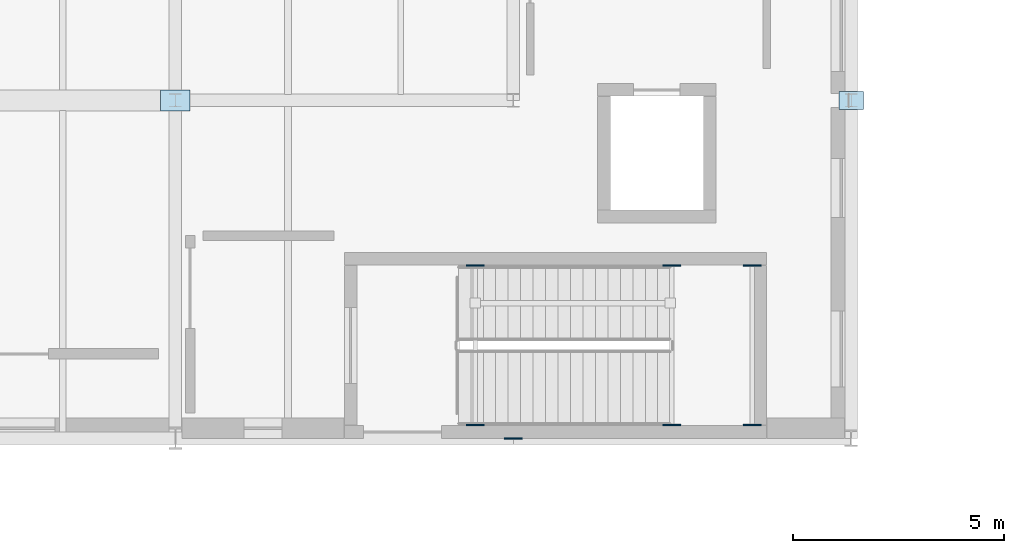
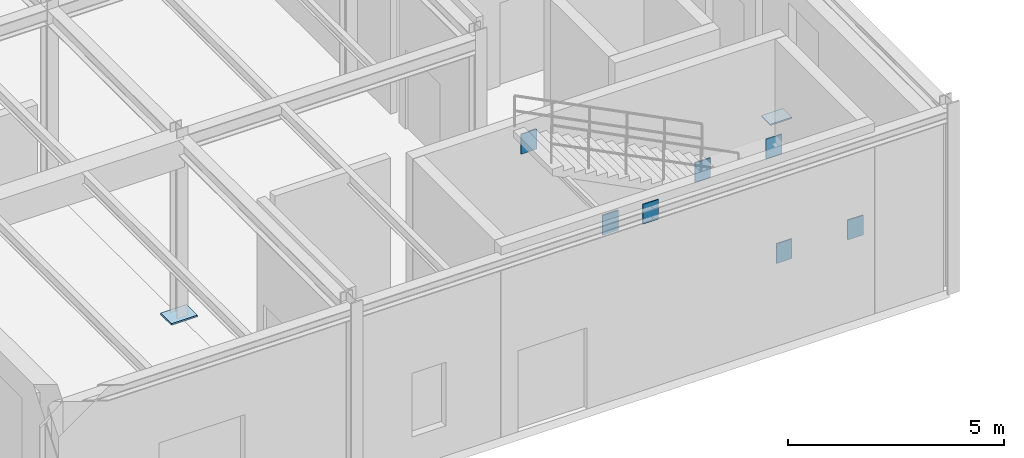
# One storey, part 64 of 129: 9 plates.
"""IFC4 building model written with IfcOpenShell, lengths in metres."""

import ifcopenshell
import ifcopenshell.guid

model = None  # the IFC model being written
_history = None  # IfcOwnerHistory: only IFC2X3 demands one
_inside = {}  # id of a spatial element -> (the spatial element, [elements in it])
_under = {}  # id of a project, library or spatial element -> (it, [spatial elements below it])
_declared = {}  # id of a project -> (the project, [libraries it declares])
_typed = {}  # id of a type object -> (the type object, [elements of that type])
_made_of = {}  # id of a material, layer set ... -> (it, [elements and type objects made of it])


def new_model(schema):
    """Start an empty IFC model of exactly this schema.

    Asked for "IFC4X3", IfcOpenShell would pick the latest addendum, in which some entities
    have other attributes; the version numbers below select the first issue.
    IFC2X3 requires an IfcOwnerHistory on every rooted entity: one is made here for all.
    """
    global model, _history
    if schema == "IFC4X3":
        model = ifcopenshell.file(schema_version=(4, 3, 0, 0))
    else:
        model = ifcopenshell.file(schema=schema)
    _inside.clear()
    _under.clear()
    _declared.clear()
    _typed.clear()
    _made_of.clear()
    _history = None
    if model.schema == "IFC2X3":
        org = make("IfcOrganization", Name="unknown")
        user = make(
            "IfcPersonAndOrganization",
            ThePerson=make("IfcPerson", FamilyName="unknown"),
            TheOrganization=org,
        )
        app = make(
            "IfcApplication",
            ApplicationDeveloper=org,
            Version="unknown",
            ApplicationFullName="unknown",
            ApplicationIdentifier="unknown",
        )
        _history = make(
            "IfcOwnerHistory",
            OwningUser=user,
            OwningApplication=app,
            ChangeAction="ADDED",
            CreationDate=0,
        )
    return model


def make(cls, **values):
    """One entity of the class cls with the attributes given. An attribute that is None is left unset."""
    return model.create_entity(
        cls, **{name: value for name, value in values.items() if value is not None}
    )


def rooted(cls, **values):
    """An entity with a GlobalId (a new one), such as an element, a storey or a relation."""
    return make(cls, GlobalId=ifcopenshell.guid.new(), OwnerHistory=_history, **values)


def si_unit(unit_type, name, prefix=None):
    """IfcSIUnit, for example si_unit("LENGTHUNIT", "METRE", prefix="MILLI")."""
    return make("IfcSIUnit", UnitType=unit_type, Prefix=prefix, Name=name)


def assignment(units):
    """IfcUnitAssignment: the units of a project."""
    return None if units is None else make("IfcUnitAssignment", Units=units)


def point(xyz):
    """IfcCartesianPoint."""
    return None if xyz is None else make("IfcCartesianPoint", Coordinates=xyz)


def direction(xyz):
    """IfcDirection."""
    return None if xyz is None else make("IfcDirection", DirectionRatios=xyz)


def frame(location, z_axis=None, x_axis=None):
    """IfcAxis2Placement3D, a coordinate frame: its origin and axes. An axis left out is left unset."""
    return make(
        "IfcAxis2Placement3D",
        Location=point(location),
        Axis=direction(z_axis),
        RefDirection=direction(x_axis),
    )


def frame_2d(location, x_axis=None):
    """IfcAxis2Placement2D, a coordinate frame in the plane: its origin and x axis."""
    return make(
        "IfcAxis2Placement2D", Location=point(location), RefDirection=direction(x_axis)
    )


def origin():
    """The frame at (0, 0, 0) with its axes left unset."""
    return frame((0.0, 0.0, 0.0))


def origin_2d():
    """The frame at (0, 0) in the plane with its x axis left unset."""
    return frame_2d((0.0, 0.0))


def place(relative_to, where):
    """IfcLocalPlacement: puts the frame where relative to a parent placement (None: the world)."""
    return make(
        "IfcLocalPlacement", PlacementRelTo=relative_to, RelativePlacement=where
    )


def context(
    kind, dimensions, precision=None, world=None, true_north=None, identifier=None
):
    """IfcGeometricRepresentationContext, for example the 3D "Model" context."""
    return make(
        "IfcGeometricRepresentationContext",
        ContextIdentifier=identifier,
        ContextType=kind,
        CoordinateSpaceDimension=dimensions,
        Precision=precision,
        WorldCoordinateSystem=world,
        TrueNorth=true_north,
    )


def subcontext(parent, identifier, kind, view, scale=None):
    """IfcGeometricRepresentationSubContext, for example "Body" below "Model"."""
    return make(
        "IfcGeometricRepresentationSubContext",
        ContextIdentifier=identifier,
        ContextType=kind,
        ParentContext=parent,
        TargetScale=scale,
        TargetView=view,
    )


def project(units=None, contexts=None):
    """IfcProject with its units and contexts."""
    return rooted(
        "IfcProject",
        Name="project",
        RepresentationContexts=contexts,
        UnitsInContext=assignment(units),
    )


def spatial(cls, under=None, at=None, **own):
    """A site, building, storey or space (cls), placed at a placement, below another one or the project."""
    s = rooted(cls, ObjectPlacement=at, **own)
    if under is not None:
        _under.setdefault(under.id(), (under, []))[1].append(s)
    return s


def profile(cls, at=None, kind="AREA", **sizes):
    """A parametric profile (cls). Its sizes go by their IFC names, for example OverallWidth=200.0."""
    return make(cls, ProfileType=kind, Position=at, **sizes)


def rectangle(**sizes):
    """IfcRectangleProfileDef."""
    return profile("IfcRectangleProfileDef", **sizes)


def extrude(swept, where, along, depth):
    """IfcExtrudedAreaSolid: the profile swept, set in the frame where, extruded along a direction by depth."""
    return make(
        "IfcExtrudedAreaSolid",
        SweptArea=swept,
        Position=where,
        ExtrudedDirection=direction(along),
        Depth=depth,
    )


def shape(context_of_items, identifier, shape_type, items):
    """IfcShapeRepresentation: the items that make up one representation, for example the "Body"."""
    return make(
        "IfcShapeRepresentation",
        ContextOfItems=context_of_items,
        RepresentationIdentifier=identifier,
        RepresentationType=shape_type,
        Items=items,
    )


def material(Name=None, Category=None):
    """IfcMaterial."""
    return make("IfcMaterial", Name=Name, Category=Category)


def layer(
    of_material, thickness, ventilated=None, Name=None, Category=None, Priority=None
):
    """IfcMaterialLayer: one layer of a wall or slab, of a material (None: an air gap)."""
    return make(
        "IfcMaterialLayer",
        Material=of_material,
        LayerThickness=thickness,
        IsVentilated=ventilated,
        Name=Name,
        Category=Category,
        Priority=Priority,
    )


def layer_set(layers, Name=None):
    """IfcMaterialLayerSet."""
    return make("IfcMaterialLayerSet", MaterialLayers=layers, LayerSetName=Name)


def made_of(thing, what):
    """Note that an element or type object is made of a material, layer set ...; save() writes the relation."""
    if what is not None:
        _made_of.setdefault(what.id(), (what, []))[1].append(thing)
    return thing


def type_object(cls, material=None, **own):
    """A type object (cls), such as IfcWallType, which elements share."""
    return made_of(rooted(cls, **own), material)


def element(
    cls,
    number,
    at=None,
    inside=None,
    cuts=None,
    type_object=None,
    material=None,
    context=None,
    identifier="Body",
    shape_type=None,
    held_by="IfcProductDefinitionShape",
    body=None,
    shapes=None,
    **own,
):
    """One element of the class cls, such as IfcWall. Its Tag is "e" and its number.

    at: its placement. inside: the storey or other place that contains it. cuts: it is an
    opening in that element (IfcRelVoidsElement). A single representation is given by context,
    identifier, shape_type and body (its items); several are given by shapes. held_by: the class
    of the entity that holds the representations. save() writes the other relations.
    """
    e = rooted(cls, Tag="e%d" % number, ObjectPlacement=at, **own)
    if body is not None:
        shapes = [shape(context, identifier, shape_type, body)]
    if shapes is not None:
        e.Representation = make(held_by, Representations=shapes)
    if inside is not None:
        _inside.setdefault(inside.id(), (inside, []))[1].append(e)
    if cuts is not None:
        rooted(
            "IfcRelVoidsElement", RelatingBuildingElement=cuts, RelatedOpeningElement=e
        )
    if type_object is not None:
        _typed.setdefault(type_object.id(), (type_object, []))[1].append(e)
    return made_of(e, material)


def aggregate(whole, parts):
    """IfcRelAggregates: a whole, such as a stair, and the parts it consists of."""
    return rooted("IfcRelAggregates", RelatingObject=whole, RelatedObjects=parts)


def save(model, path):
    """Write the relations noted so far, then the file.

    IfcRelAggregates (storeys below a building ...), IfcRelContainedInSpatialStructure (elements
    in a storey), IfcRelDefinesByType, IfcRelAssociatesMaterial and IfcRelDeclares: one each for
    every whole, place, type object, material and project.
    """
    for whole, parts in _under.values():
        aggregate(whole, parts)
    for where, things in _inside.values():
        rooted(
            "IfcRelContainedInSpatialStructure",
            RelatedElements=things,
            RelatingStructure=where,
        )
    for kind, things in _typed.values():
        rooted("IfcRelDefinesByType", RelatedObjects=things, RelatingType=kind)
    for what, things in _made_of.values():
        rooted("IfcRelAssociatesMaterial", RelatedObjects=things, RelatingMaterial=what)
    for by, libraries in _declared.values():
        rooted("IfcRelDeclares", RelatingContext=by, RelatedDefinitions=libraries)
    model.write(path)


model = new_model("IFC4")

# Units and contexts
model_context = context("Model", 3, precision=1e-05, world=origin(), true_north=direction((0.0, 1.0)))
body_context = subcontext(model_context, "Body", "Model", "MODEL_VIEW")
ifc_project = project(units=[si_unit("LENGTHUNIT", "METRE"), si_unit("AREAUNIT", "SQUARE_METRE"), si_unit("VOLUMEUNIT", "CUBIC_METRE"), si_unit("PLANEANGLEUNIT", "RADIAN"), si_unit("MASSUNIT", "GRAM", prefix="KILO")], contexts=[model_context])

# Site, building, storey
site_placement = place(None, origin())
site = spatial("IfcSite", under=ifc_project, at=site_placement, CompositionType="ELEMENT")
building_placement = place(site_placement, origin())
building = spatial("IfcBuilding", under=site, at=building_placement, Name="Sundkrona Museum", CompositionType="ELEMENT")
storey_placement = place(building_placement, origin())
storey = spatial("IfcBuildingStorey", under=building, at=storey_placement, Name="L00", CompositionType="ELEMENT", Elevation=0.0)

# Plates
ifc_material = material(Name="Steel S355J2", Category="steel")
ifc_layer_1 = layer(ifc_material, 0.044921875)
ifc_layer_set_1 = layer_set([ifc_layer_1], Name="Steel S355J2")
plate_type_1 = type_object("IfcPlateType", Name="BP-2", PredefinedType="USERDEFINED", material=ifc_layer_set_1)
plate_1_placement = place(storey_placement, frame((24.0, 40.0, 0.0), z_axis=(0.0, 0.0, 1.0), x_axis=(1.0, 0.0, 0.0)))
element("IfcPlate", 1, at=plate_1_placement, inside=storey, type_object=plate_type_1, Name="Column Base Plate F/4", ObjectType="GUSSET PLATE", PredefinedType="USERDEFINED", context=body_context, shape_type="SweptSolid", body=[
    extrude(rectangle(XDim=0.699951171875, YDim=0.5, at=origin_2d()), origin(), (0.0, 0.0, 1.0), 0.044921875),
])
ifc_layer_2 = layer(ifc_material, 0.0380859375)
ifc_layer_set_2 = layer_set([ifc_layer_2], Name="Steel S355J2")
plate_type_2 = type_object("IfcPlateType", Name="BP-3", PredefinedType="USERDEFINED", material=ifc_layer_set_2)
plate_2_placement = place(storey_placement, frame((40.0, 40.0, 0.0), z_axis=(0.0, 0.0, 1.0), x_axis=(1.0, 0.0, 0.0)))
element("IfcPlate", 2, at=plate_2_placement, inside=storey, type_object=plate_type_2, Name="Column Base Plate F/6", ObjectType="GUSSET PLATE", PredefinedType="USERDEFINED", context=body_context, shape_type="SweptSolid", body=[
    extrude(rectangle(XDim=0.580078125, YDim=0.419921875, at=origin_2d()), origin(), (0.0, 0.0, 1.0), 0.0380859375),
])
ifc_layer_3 = layer(ifc_material, 0.034912109375)
ifc_layer_set_3 = layer_set([ifc_layer_3], Name="Steel S355J2")
plate_type_3 = type_object("IfcPlateType", Name="EP-1", PredefinedType="USERDEFINED", material=ifc_layer_set_3)
for number, where, z_axis, x_axis, name in (
    (3, (32.0, 32.0, 4.719970703125), (0.0, 0.0, 1.0), (1.0, 0.0, 0.0), "Core Wall Cast-In Embed Plate BM-L00-X-0455-2"),
    (4, (35.754638671875, 32.31005859375, 2.099853515625), (0.0, 0.0, 1.0), (1.0, 0.0, 0.0), "Core Wall Cast-In Embed Plate BM-STLD-ST-4-L00-1A-1"),
    (5, (35.754638671875, 36.090087890625, 2.099853515625), (0.0, 0.0, 1.0), (1.0, 0.0, 0.0), "Core Wall Cast-In Embed Plate BM-STLD-ST-4-L00-1A-2"),
    (6, (37.660400390625, 32.31005859375, 2.099853515625), (0.0, 0.0, 1.0), (1.0, 0.0, 0.0), "Core Wall Cast-In Embed Plate BM-STLD-ST-4-L00-1B-1"),
    (7, (37.660400390625, 36.090087890625, 2.099853515625), (0.0, 0.0, 1.0), (1.0, 0.0, 0.0), "Core Wall Cast-In Embed Plate BM-STLD-ST-4-L00-1B-2"),
    (8, (31.10009765625, 32.31005859375, 4.5341796875), (0.0, 0.0, 1.0), (1.0, 0.0, 0.0), "Core Wall Cast-In Embed Plate BM-STHD-ST-4-L00-2-1"),
    (9, (31.10009765625, 36.090087890625, 4.5341796875), (0.0, 0.0, 1.0), (1.0, 0.0, 0.0), "Core Wall Cast-In Embed Plate BM-STHD-ST-4-L00-2-2"),
):
    element("IfcPlate", number, at=place(storey_placement, frame(where, z_axis=z_axis, x_axis=x_axis)), inside=storey, type_object=plate_type_3, Name=name, ObjectType="GUSSET PLATE", PredefinedType="USERDEFINED", context=body_context, shape_type="SweptSolid", body=[
        extrude(rectangle(XDim=0.419921875, YDim=0.034912109375, at=origin_2d()), origin(), (0.0, 0.0, 1.0), 0.56005859375),
    ])

save(model, "model.ifc")
